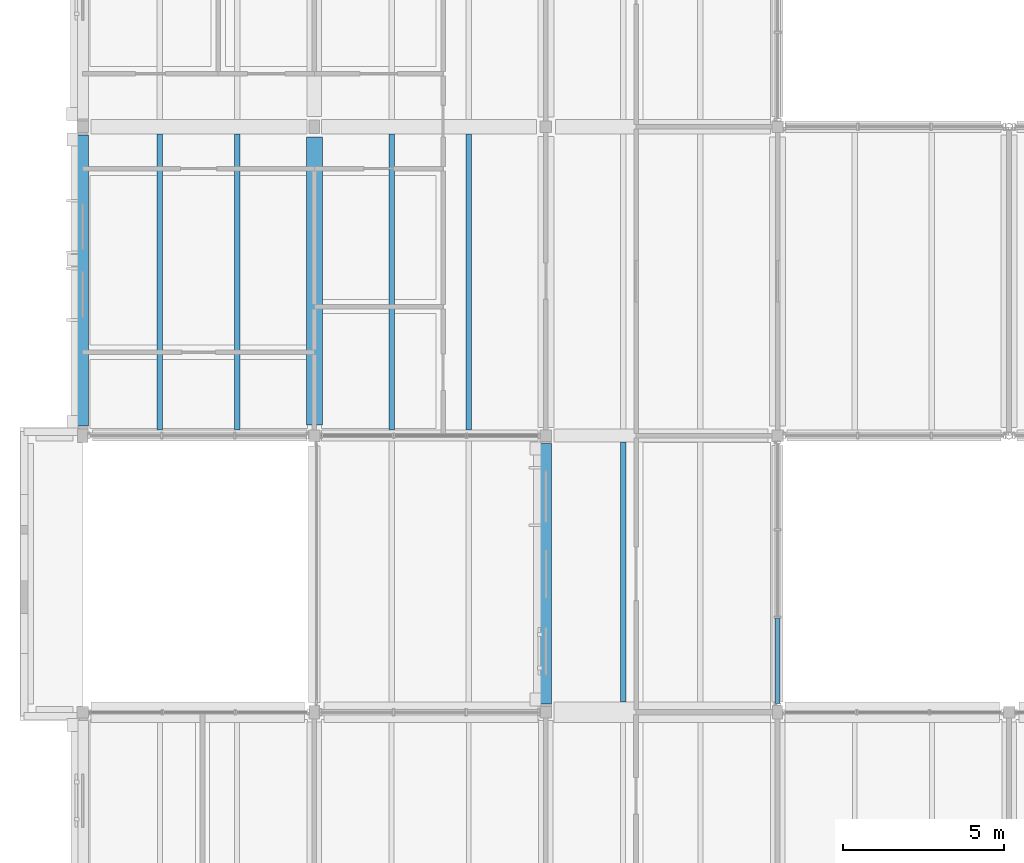
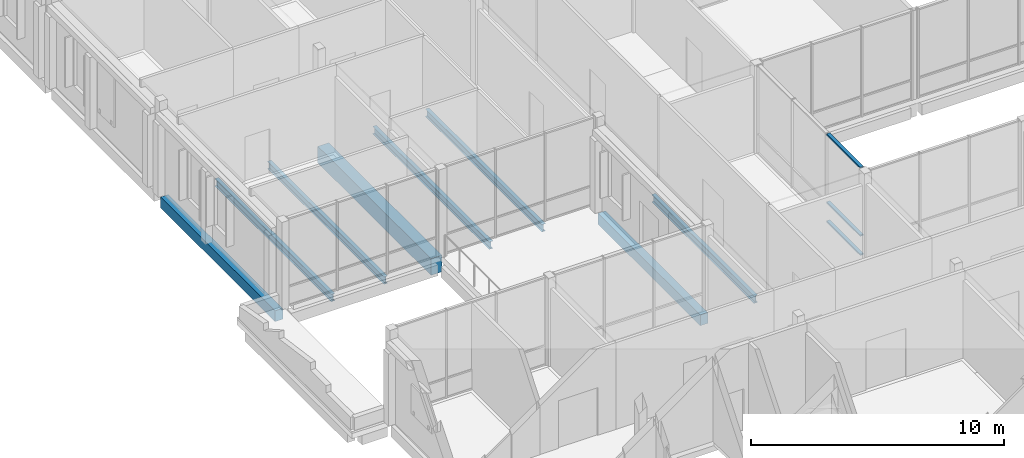
# One storey, part 24 of 146: 8 beams, 3 members, 1 element without a shape of its own.
"""IFC4 building model written with IfcOpenShell, lengths in metres."""

from ifc_helpers import new_model, si_unit, direction, frame, origin, origin_2d, place, context, subcontext, project, spatial, rectangle, hollow_rectangle, i_section, extrude, material, material_profile, profile_set, type_object, element, aggregate, save


model = new_model("IFC4")

# Units and contexts
model_context = context("Model", 3, precision=1e-05, world=origin(), true_north=direction((0.0, 1.0)))
body_context = subcontext(model_context, "Body", "Model", "MODEL_VIEW")
ifc_project = project(units=[si_unit("LENGTHUNIT", "METRE"), si_unit("AREAUNIT", "SQUARE_METRE"), si_unit("VOLUMEUNIT", "CUBIC_METRE"), si_unit("PLANEANGLEUNIT", "RADIAN"), si_unit("MASSUNIT", "GRAM", prefix="KILO")], contexts=[model_context])

# Site, building, storey
site_placement = place(None, origin())
site = spatial("IfcSite", under=ifc_project, at=site_placement, CompositionType="ELEMENT")
building_placement = place(site_placement, origin())
building = spatial("IfcBuilding", under=site, at=building_placement, Name="Hawrajan Terrace Health Centre", CompositionType="ELEMENT")
storey_placement = place(building_placement, frame((0.0, 0.0, 4.5)))
storey = spatial("IfcBuildingStorey", under=building, at=storey_placement, Name="L01", CompositionType="ELEMENT", Elevation=4.5)

# Curtain wall, members
ifc_material_1 = material(Name="Anodized bronze aluminium and low-E solar glazing", Category="aluminium")
curtain_wall_type = type_object("IfcCurtainWallType", Name="CW_CourtNS_SeriesC1", PredefinedType="USERDEFINED", material=ifc_material_1)
curtain_wall_placement = place(storey_placement, origin())
curtain_wall = element("IfcCurtainWall", 1, at=curtain_wall_placement, inside=storey, type_object=curtain_wall_type, Name="Curtain wall CW-L01-055", ObjectType="UNITISED CURTAIN WALL", PredefinedType="USERDEFINED")
ifc_material_2 = material(Name="Anodized bronze aluminium 6063-T6", Category="aluminium")
ifc_material_profile_1 = material_profile(ifc_material_2, hollow_rectangle(XDim=0.06494140625, YDim=0.14990234375, WallThickness=0.00390625, at=origin_2d()), Name="CW TRN 65x150")
ifc_profile_set_1 = profile_set([ifc_material_profile_1], Name="Anodized bronze aluminium 6063-T6")
member_type = type_object("IfcMemberType", Name="CWTransom_65x150", PredefinedType="USERDEFINED", material=ifc_profile_set_1)
member_1_placement = place(storey_placement, frame((26.199951171875, 18.868896484375, 0.032470703125), z_axis=(0.0, 1.0, 0.0), x_axis=(0.0, 0.0, 1.0)))
member_1 = element("IfcMember", 2, at=member_1_placement, type_object=member_type, Name="Transom CW-L01-055-T1-1", ObjectType="TRANSOM", PredefinedType="USERDEFINED", context=body_context, shape_type="SweptSolid", body=[
    extrude(hollow_rectangle(XDim=0.06494140625, YDim=0.14990234375, WallThickness=0.00390625, at=origin_2d()), origin(), (0.0, 0.0, 1.0), 2.662109375),
])
member_2_placement = place(storey_placement, frame((26.199951171875, 18.868896484375, 0.949951171875), z_axis=(0.0, 1.0, 0.0), x_axis=(0.0, 0.0, 1.0)))
member_2 = element("IfcMember", 3, at=member_2_placement, type_object=member_type, Name="Transom CW-L01-055-T1-2", ObjectType="TRANSOM", PredefinedType="USERDEFINED", context=body_context, shape_type="SweptSolid", body=[
    extrude(hollow_rectangle(XDim=0.06494140625, YDim=0.14990234375, WallThickness=0.00390625, at=origin_2d()), origin(), (0.0, 0.0, 1.0), 2.662109375),
])
member_3_placement = place(storey_placement, frame((26.199951171875, 18.868896484375, 4.2275390625), z_axis=(0.0, 1.0, 0.0), x_axis=(0.0, 0.0, 1.0)))
member_3 = element("IfcMember", 4, at=member_3_placement, type_object=member_type, Name="Transom CW-L01-055-T1-3", ObjectType="TRANSOM", PredefinedType="USERDEFINED", context=body_context, shape_type="SweptSolid", body=[
    extrude(hollow_rectangle(XDim=0.06494140625, YDim=0.14990234375, WallThickness=0.00390625, at=origin_2d()), origin(), (0.0, 0.0, 1.0), 2.662109375),
])
aggregate(curtain_wall, [member_1, member_2, member_3])

# Beams
ifc_material_3 = material(Name="Concrete C40/50", Category="concrete")
ifc_material_profile_2 = material_profile(ifc_material_3, rectangle(XDim=0.5, YDim=0.800048828125, at=origin_2d()), Name="RC BM 500x800")
ifc_profile_set_2 = profile_set([ifc_material_profile_2], Name="Concrete C40/50")
beam_type_1 = type_object("IfcBeamType", Name="RCGirder_500x800", PredefinedType="BEAM", material=ifc_profile_set_2)
beam_1_placement = place(storey_placement, frame((11.800048828125, 27.52490234375, -0.699951171875), z_axis=(0.0, 1.0, 0.0), x_axis=(-1.0, 0.0, 0.0)))
element("IfcBeam", 5, at=beam_1_placement, inside=storey, type_object=beam_type_1, Name="Beam BM-Y-L01-W-X02-4", PredefinedType="BEAM", context=body_context, shape_type="SweptSolid", body=[
    extrude(rectangle(XDim=0.5, YDim=0.800048828125, at=origin_2d()), origin(), (0.0, 0.0, 1.0), 8.9501953125),
])
ifc_material_profile_3 = material_profile(ifc_material_3, rectangle(XDim=0.35009765625, YDim=0.52001953125, at=origin_2d()), Name="RC SP 350x520")
ifc_profile_set_3 = profile_set([ifc_material_profile_3], Name="Concrete C40/50")
beam_type_2 = type_object("IfcBeamType", Name="RCSpandrel_350x520", PredefinedType="SPANDREL", material=ifc_profile_set_3)
beam_2_placement = place(storey_placement, frame((4.60009765625, 27.5, -0.56005859375), z_axis=(0.0, 1.0, 0.0), x_axis=(-1.0, 0.0, 0.0)))
element("IfcBeam", 6, at=beam_2_placement, inside=storey, type_object=beam_type_2, Name="Beam BM-Y-L01-W-X01-4", PredefinedType="SPANDREL", context=body_context, shape_type="SweptSolid", body=[
    extrude(rectangle(XDim=0.35009765625, YDim=0.52001953125, at=origin_2d()), origin(), (0.0, 0.0, 1.0), 9.050048828125),
])
beam_3_placement = place(storey_placement, frame((19.0, 18.85009765625, -0.56005859375), z_axis=(0.0, 1.0, 0.0), x_axis=(-1.0, 0.0, 0.0)))
element("IfcBeam", 7, at=beam_3_placement, inside=storey, type_object=beam_type_2, Name="Beam BM-Y-L01-W-X03-3", PredefinedType="SPANDREL", context=body_context, shape_type="SweptSolid", body=[
    extrude(rectangle(XDim=0.35009765625, YDim=0.52001953125, at=origin_2d()), origin(), (0.0, 0.0, 1.0), 8.099853515625),
])
ifc_material_4 = material(Name="Steel S355", Category="steel")
ifc_material_profile_4 = material_profile(ifc_material_4, i_section(OverallWidth=0.169921875, OverallDepth=0.360107421875, WebThickness=0.008056640625, FlangeThickness=0.0126953125, FilletRadius=0.01806640625, at=origin_2d()), Name="IPE 360")
ifc_profile_set_4 = profile_set([ifc_material_profile_4], Name="Steel S355")
beam_type_3 = type_object("IfcBeamType", Name="SteelBeam_IPE360", PredefinedType="BEAM", material=ifc_profile_set_4)
for number, where, z_axis, x_axis, name in (
    (8, (7.0, 27.375, -0.47998046875), (0.0, 1.0, 0.0), (-1.0, 0.0, 0.0), "Secondary joist JST-L01-W-01-4-1"),
    (9, (9.39990234375, 27.375, -0.47998046875), (0.0, 1.0, 0.0), (-1.0, 0.0, 0.0), "Secondary joist JST-L01-W-01-4-2"),
    (10, (14.199951171875, 27.375, -0.47998046875), (0.0, 1.0, 0.0), (-1.0, 0.0, 0.0), "Secondary joist JST-L01-W-02-4-1"),
    (11, (16.60009765625, 27.375, -0.47998046875), (0.0, 1.0, 0.0), (-1.0, 0.0, 0.0), "Secondary joist JST-L01-W-02-4-2"),
):
    element("IfcBeam", number, at=place(storey_placement, frame(where, z_axis=z_axis, x_axis=x_axis)), inside=storey, type_object=beam_type_3, Name=name, PredefinedType="BEAM", context=body_context, shape_type="SweptSolid", body=[
        extrude(i_section(OverallWidth=0.169921875, OverallDepth=0.360107421875, WebThickness=0.008056640625, FlangeThickness=0.0126953125, FilletRadius=0.01806640625, at=origin_2d()), origin(), (0.0, 0.0, 1.0), 9.199951171875),
    ])
beam_4_placement = place(storey_placement, frame((21.39990234375, 18.925048828125, -0.47998046875), z_axis=(0.0, 1.0, 0.0), x_axis=(-1.0, 0.0, 0.0)))
element("IfcBeam", 12, at=beam_4_placement, inside=storey, type_object=beam_type_3, Name="Secondary joist JST-L01-W-03-3-1", PredefinedType="BEAM", context=body_context, shape_type="SweptSolid", body=[
    extrude(i_section(OverallWidth=0.169921875, OverallDepth=0.360107421875, WebThickness=0.008056640625, FlangeThickness=0.0126953125, FilletRadius=0.01806640625, at=origin_2d()), origin(), (0.0, 0.0, 1.0), 8.074951171875),
])

save(model, "model.ifc")
